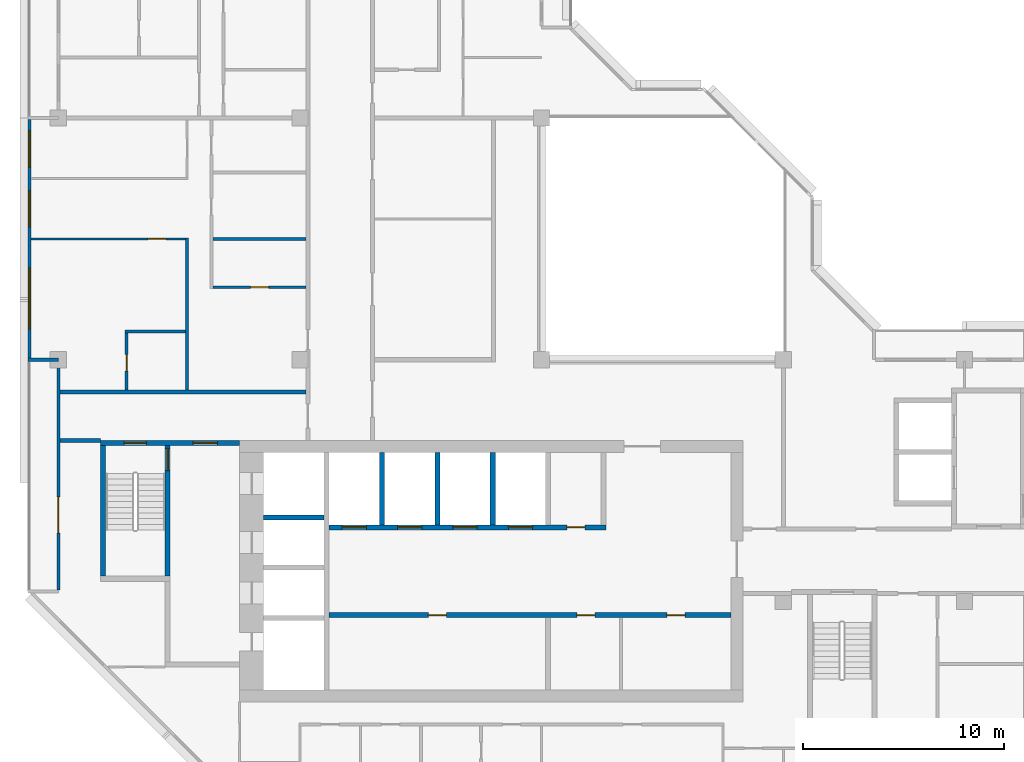
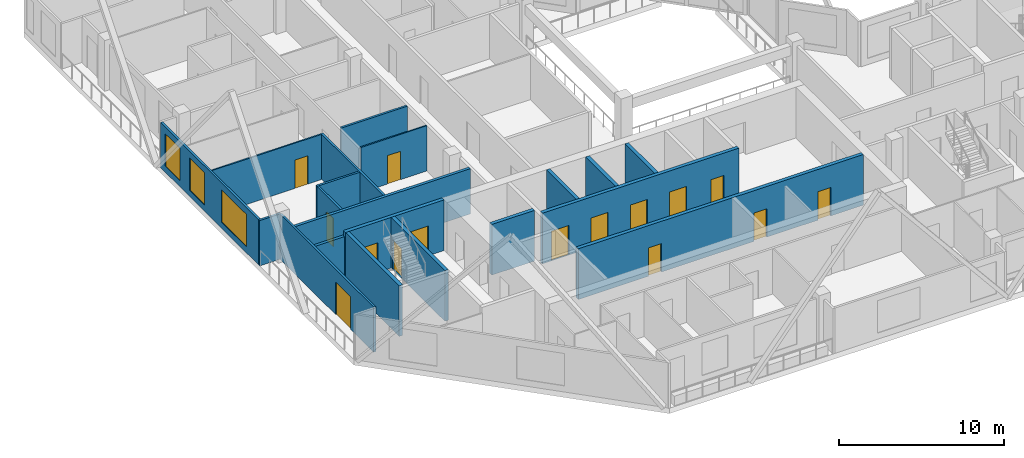
# One storey, part 5 of 13: 20 walls, 15 doors, 3 windows, 18 openings.
"""IFC4 building model written with IfcOpenShell, lengths in metres."""

from ifc_helpers import new_model, si_unit, direction, frame, frame_2d, origin, place, context, subcontext, project, spatial, rectangle, extrude, material, layer, layer_set, type_object, element, fill, save


model = new_model("IFC4")

# Units and contexts
model_context = context("Model", 3, precision=1e-05, world=origin(), true_north=direction((0.0, 1.0)))
body_context = subcontext(model_context, "Body", "Model", "MODEL_VIEW")
ifc_project = project(units=[si_unit("LENGTHUNIT", "METRE"), si_unit("AREAUNIT", "SQUARE_METRE"), si_unit("VOLUMEUNIT", "CUBIC_METRE"), si_unit("PLANEANGLEUNIT", "RADIAN"), si_unit("MASSUNIT", "GRAM", prefix="KILO")], contexts=[model_context])

# Site, building, storey
site_placement = place(None, origin())
site = spatial("IfcSite", under=ifc_project, at=site_placement, CompositionType="ELEMENT")
building_placement = place(site_placement, origin())
building = spatial("IfcBuilding", under=site, at=building_placement, Name="Chenar Terraces", CompositionType="ELEMENT")
storey_placement = place(building_placement, frame((0.0, 0.0, 310.89990234375)))
storey = spatial("IfcBuildingStorey", under=building, at=storey_placement, Name="L73", CompositionType="ELEMENT", Elevation=310.89990234375)

# Wall, openings, doors
ifc_material_1 = material(Name="Concrete C50/60", Category="concrete")
ifc_layer_1 = layer(ifc_material_1, 0.25)
ifc_layer_set_1 = layer_set([ifc_layer_1], Name="Concrete C50/60")
wall_type_1 = type_object("IfcWallType", Name="Core wall 250 Concrete C50/60", PredefinedType="SHEAR", material=ifc_layer_set_1)
wall_1_placement = place(storey_placement, frame((13.449951171875, 11.324951171875, 0.0), z_axis=(0.0, 0.0, 1.0), x_axis=(1.0, 0.0, 0.0)))
wall_1 = element("IfcWall", 1, at=wall_1_placement, inside=storey, type_object=wall_type_1, Name="Core wall SF L73", PredefinedType="SHEAR", context=body_context, shape_type="SweptSolid", body=[
    extrude(rectangle(XDim=19.949951171875, YDim=0.25, at=frame_2d((9.97509765625, 0.0))), origin(), (0.0, 0.0, 1.0), 3.75),
])
opening_1_placement = place(wall_1_placement, frame((4.925048828125, 0.0, 0.0)))
opening_1 = element("IfcOpeningElement", 2, at=opening_1_placement, cuts=wall_1, Name="Opening DL73-C12", PredefinedType="OPENING", context=body_context, shape_type="SweptSolid", body=[
    extrude(rectangle(XDim=0.89990234375, YDim=2.10009765625, at=frame_2d((0.449951171875, 1.050048828125))), frame((0.0, 0.135009765625, 0.0), z_axis=(0.0, -1.0, 0.0), x_axis=(1.0, 0.0, 0.0)), (0.0, 0.0, 1.0), 0.27001953125),
])
opening_2_placement = place(wall_1_placement, frame((12.300048828125, 0.0, 0.0)))
opening_2 = element("IfcOpeningElement", 3, at=opening_2_placement, cuts=wall_1, Name="Opening DL73-C13", PredefinedType="OPENING", context=body_context, shape_type="SweptSolid", body=[
    extrude(rectangle(XDim=0.89990234375, YDim=2.10009765625, at=frame_2d((0.449951171875, 1.050048828125))), frame((0.0, 0.135009765625, 0.0), z_axis=(0.0, -1.0, 0.0), x_axis=(1.0, 0.0, 0.0)), (0.0, 0.0, 1.0), 0.27001953125),
])
opening_3_placement = place(wall_1_placement, frame((16.77490234375, 0.0, 0.0)))
opening_3 = element("IfcOpeningElement", 4, at=opening_3_placement, cuts=wall_1, Name="Opening DL73-C14", PredefinedType="OPENING", context=body_context, shape_type="SweptSolid", body=[
    extrude(rectangle(XDim=0.89990234375, YDim=2.10009765625, at=frame_2d((0.449951171875, 1.050048828125))), frame((0.0, 0.135009765625, 0.0), z_axis=(0.0, -1.0, 0.0), x_axis=(1.0, 0.0, 0.0)), (0.0, 0.0, 1.0), 0.27001953125),
])
ifc_material_2 = material(Name="Steel-framed fire-resisting door leaf", Category="steel")
door_type_1 = type_object("IfcDoorType", Name="Riser fire door FD60 900 x 2100", OperationType="SINGLE_SWING_LEFT", PredefinedType="DOOR", material=ifc_material_2)
door_1_placement = place(opening_1_placement, frame((0.89990234375, 0.0, 0.0), z_axis=(0.0, 0.0, 1.0), x_axis=(-1.0, 0.0, 0.0)))
door_1 = element("IfcDoor", 5, at=door_1_placement, inside=storey, type_object=door_type_1, Name="Core room door DL73-C12", OperationType="SINGLE_SWING_RIGHT", OverallHeight=2.10009765625, OverallWidth=0.89990234375, PredefinedType="DOOR", context=body_context, shape_type="SweptSolid", body=[
    extrude(rectangle(XDim=0.89990234375, YDim=2.10009765625, at=frame_2d((0.449951171875, 1.050048828125))), frame((0.0, 0.02490234375, 0.0), z_axis=(0.0, -1.0, 0.0), x_axis=(1.0, 0.0, 0.0)), (0.0, 0.0, 1.0), 0.050048828125),
])
fill(opening_1, door_1)
door_2_placement = place(opening_2_placement, frame((0.89990234375, 0.0, 0.0), z_axis=(0.0, 0.0, 1.0), x_axis=(-1.0, 0.0, 0.0)))
door_2 = element("IfcDoor", 6, at=door_2_placement, inside=storey, type_object=door_type_1, Name="Core room door DL73-C13", OperationType="SINGLE_SWING_LEFT", OverallHeight=2.10009765625, OverallWidth=0.89990234375, PredefinedType="DOOR", context=body_context, shape_type="SweptSolid", body=[
    extrude(rectangle(XDim=0.89990234375, YDim=2.10009765625, at=frame_2d((0.449951171875, 1.050048828125))), frame((0.0, 0.02490234375, 0.0), z_axis=(0.0, -1.0, 0.0), x_axis=(1.0, 0.0, 0.0)), (0.0, 0.0, 1.0), 0.050048828125),
])
fill(opening_2, door_2)
door_3_placement = place(opening_3_placement, frame((0.89990234375, 0.0, 0.0), z_axis=(0.0, 0.0, 1.0), x_axis=(-1.0, 0.0, 0.0)))
door_3 = element("IfcDoor", 7, at=door_3_placement, inside=storey, type_object=door_type_1, Name="Core room door DL73-C14", OperationType="SINGLE_SWING_LEFT", OverallHeight=2.10009765625, OverallWidth=0.89990234375, PredefinedType="DOOR", context=body_context, shape_type="SweptSolid", body=[
    extrude(rectangle(XDim=0.89990234375, YDim=2.10009765625, at=frame_2d((0.449951171875, 1.050048828125))), frame((0.0, 0.02490234375, 0.0), z_axis=(0.0, -1.0, 0.0), x_axis=(1.0, 0.0, 0.0)), (0.0, 0.0, 1.0), 0.050048828125),
])
fill(opening_3, door_3)

wall_2_placement = place(storey_placement, frame((13.449951171875, 15.675048828125, 0.0), z_axis=(0.0, 0.0, 1.0), x_axis=(1.0, 0.0, 0.0)))
wall_2 = element("IfcWall", 8, at=wall_2_placement, inside=storey, type_object=wall_type_1, Name="Core wall NF L73", PredefinedType="SHEAR", context=body_context, shape_type="SweptSolid", body=[
    extrude(rectangle(XDim=13.75, YDim=0.25, at=frame_2d((6.875, 0.0))), origin(), (0.0, 0.0, 1.0), 3.75),
])
opening_4_placement = place(wall_2_placement, frame((0.64990234375, 0.0, 0.0)))
opening_4 = element("IfcOpeningElement", 9, at=opening_4_placement, cuts=wall_2, Name="Opening DL73-LD1", PredefinedType="OPENING", context=body_context, shape_type="SweptSolid", body=[
    extrude(rectangle(XDim=1.199951171875, YDim=2.199951171875, at=frame_2d((0.60009765625, 1.10009765625))), frame((0.0, 0.135009765625, 0.0), z_axis=(0.0, -1.0, 0.0), x_axis=(1.0, 0.0, 0.0)), (0.0, 0.0, 1.0), 0.27001953125),
])
opening_5_placement = place(wall_2_placement, frame((3.39990234375, 0.0, 0.0)))
opening_5 = element("IfcOpeningElement", 10, at=opening_5_placement, cuts=wall_2, Name="Opening DL73-LD2", PredefinedType="OPENING", context=body_context, shape_type="SweptSolid", body=[
    extrude(rectangle(XDim=1.199951171875, YDim=2.199951171875, at=frame_2d((0.60009765625, 1.10009765625))), frame((0.0, 0.135009765625, 0.0), z_axis=(0.0, -1.0, 0.0), x_axis=(1.0, 0.0, 0.0)), (0.0, 0.0, 1.0), 0.27001953125),
])
opening_6_placement = place(wall_2_placement, frame((6.14990234375, 0.0, 0.0)))
opening_6 = element("IfcOpeningElement", 11, at=opening_6_placement, cuts=wall_2, Name="Opening DL73-LD3", PredefinedType="OPENING", context=body_context, shape_type="SweptSolid", body=[
    extrude(rectangle(XDim=1.199951171875, YDim=2.199951171875, at=frame_2d((0.60009765625, 1.10009765625))), frame((0.0, 0.135009765625, 0.0), z_axis=(0.0, -1.0, 0.0), x_axis=(1.0, 0.0, 0.0)), (0.0, 0.0, 1.0), 0.27001953125),
])
opening_7_placement = place(wall_2_placement, frame((8.89990234375, 0.0, 0.0)))
opening_7 = element("IfcOpeningElement", 12, at=opening_7_placement, cuts=wall_2, Name="Opening DL73-LD4", PredefinedType="OPENING", context=body_context, shape_type="SweptSolid", body=[
    extrude(rectangle(XDim=1.199951171875, YDim=2.199951171875, at=frame_2d((0.60009765625, 1.10009765625))), frame((0.0, 0.135009765625, 0.0), z_axis=(0.0, -1.0, 0.0), x_axis=(1.0, 0.0, 0.0)), (0.0, 0.0, 1.0), 0.27001953125),
])
opening_8_placement = place(wall_2_placement, frame((11.800048828125, 0.0, 0.0)))
opening_8 = element("IfcOpeningElement", 13, at=opening_8_placement, cuts=wall_2, Name="Opening DL73-C15", PredefinedType="OPENING", context=body_context, shape_type="SweptSolid", body=[
    extrude(rectangle(XDim=0.89990234375, YDim=2.10009765625, at=frame_2d((0.449951171875, 1.050048828125))), frame((0.0, 0.135009765625, 0.0), z_axis=(0.0, -1.0, 0.0), x_axis=(1.0, 0.0, 0.0)), (0.0, 0.0, 1.0), 0.27001953125),
])
ifc_material_3 = material(Name="Stainless steel", Category="steel")
door_type_2 = type_object("IfcDoorType", Name="Lift landing door 1200 x 2200 sliding", OperationType="DOUBLE_DOOR_SLIDING", PredefinedType="DOOR", material=ifc_material_3)
door_4_placement = place(opening_4_placement, origin())
door_4 = element("IfcDoor", 14, at=door_4_placement, inside=storey, type_object=door_type_2, Name="Landing door H1", OperationType="DOUBLE_DOOR_SLIDING", OverallHeight=2.199951171875, OverallWidth=1.199951171875, PredefinedType="DOOR", context=body_context, shape_type="SweptSolid", body=[
    extrude(rectangle(XDim=1.199951171875, YDim=2.199951171875, at=frame_2d((0.60009765625, 1.10009765625))), frame((0.0, 0.02490234375, 0.0), z_axis=(0.0, -1.0, 0.0), x_axis=(1.0, 0.0, 0.0)), (0.0, 0.0, 1.0), 0.050048828125),
])
fill(opening_4, door_4)
door_5_placement = place(opening_5_placement, origin())
door_5 = element("IfcDoor", 15, at=door_5_placement, inside=storey, type_object=door_type_2, Name="Landing door H2", OperationType="DOUBLE_DOOR_SLIDING", OverallHeight=2.199951171875, OverallWidth=1.199951171875, PredefinedType="DOOR", context=body_context, shape_type="SweptSolid", body=[
    extrude(rectangle(XDim=1.199951171875, YDim=2.199951171875, at=frame_2d((0.60009765625, 1.10009765625))), frame((0.0, 0.02490234375, 0.0), z_axis=(0.0, -1.0, 0.0), x_axis=(1.0, 0.0, 0.0)), (0.0, 0.0, 1.0), 0.050048828125),
])
fill(opening_5, door_5)
door_6_placement = place(opening_6_placement, origin())
door_6 = element("IfcDoor", 16, at=door_6_placement, inside=storey, type_object=door_type_2, Name="Landing door H3", OperationType="DOUBLE_DOOR_SLIDING", OverallHeight=2.199951171875, OverallWidth=1.199951171875, PredefinedType="DOOR", context=body_context, shape_type="SweptSolid", body=[
    extrude(rectangle(XDim=1.199951171875, YDim=2.199951171875, at=frame_2d((0.60009765625, 1.10009765625))), frame((0.0, 0.02490234375, 0.0), z_axis=(0.0, -1.0, 0.0), x_axis=(1.0, 0.0, 0.0)), (0.0, 0.0, 1.0), 0.050048828125),
])
fill(opening_6, door_6)
door_7_placement = place(opening_7_placement, origin())
door_7 = element("IfcDoor", 17, at=door_7_placement, inside=storey, type_object=door_type_2, Name="Landing door H4", OperationType="DOUBLE_DOOR_SLIDING", OverallHeight=2.199951171875, OverallWidth=1.199951171875, PredefinedType="DOOR", context=body_context, shape_type="SweptSolid", body=[
    extrude(rectangle(XDim=1.199951171875, YDim=2.199951171875, at=frame_2d((0.60009765625, 1.10009765625))), frame((0.0, 0.02490234375, 0.0), z_axis=(0.0, -1.0, 0.0), x_axis=(1.0, 0.0, 0.0)), (0.0, 0.0, 1.0), 0.050048828125),
])
fill(opening_7, door_7)
door_8_placement = place(opening_8_placement, origin())
door_8 = element("IfcDoor", 18, at=door_8_placement, inside=storey, type_object=door_type_1, Name="Core room door DL73-C15", OperationType="SINGLE_SWING_RIGHT", OverallHeight=2.10009765625, OverallWidth=0.89990234375, PredefinedType="DOOR", context=body_context, shape_type="SweptSolid", body=[
    extrude(rectangle(XDim=0.89990234375, YDim=2.10009765625, at=frame_2d((0.449951171875, 1.050048828125))), frame((0.0, 0.02490234375, 0.0), z_axis=(0.0, -1.0, 0.0), x_axis=(1.0, 0.0, 0.0)), (0.0, 0.0, 1.0), 0.050048828125),
])
fill(opening_8, door_8)

# Walls
wall_3_placement = place(storey_placement, frame((10.199951171875, 16.175048828125, 0.0), z_axis=(0.0, 0.0, 1.0), x_axis=(1.0, 0.0, 0.0)))
element("IfcWall", 19, at=wall_3_placement, inside=storey, type_object=wall_type_1, Name="Core wall HW2 L73", PredefinedType="SHEAR", context=body_context, shape_type="SweptSolid", body=[
    extrude(rectangle(XDim=3.0, YDim=0.25, at=frame_2d((1.5, 0.0))), origin(), (0.0, 0.0, 1.0), 3.75),
])
for number, where, z_axis, x_axis, name in (
    (20, (16.074951171875, 15.800048828125, 0.0), (0.0, 0.0, 1.0), (0.0, 1.0, 0.0), "Core wall NS0 L73"),
    (21, (18.824951171875, 15.800048828125, 0.0), (0.0, 0.0, 1.0), (0.0, 1.0, 0.0), "Core wall NS1 L73"),
    (22, (21.574951171875, 15.800048828125, 0.0), (0.0, 0.0, 1.0), (0.0, 1.0, 0.0), "Core wall NS2 L73"),
):
    element("IfcWall", number, at=place(storey_placement, frame(where, z_axis=z_axis, x_axis=x_axis)), inside=storey, type_object=wall_type_1, Name=name, PredefinedType="SHEAR", context=body_context, shape_type="SweptSolid", body=[
        extrude(rectangle(XDim=3.599853515625, YDim=0.25, at=frame_2d((1.7998046875, 0.0))), origin(), (0.0, 0.0, 1.0), 3.75),
    ])

# Wall, openings, doors
wall_4_placement = place(storey_placement, frame((2.10009765625, 19.875, 0.0), z_axis=(0.0, 0.0, 1.0), x_axis=(1.0, 0.0, 0.0)))
wall_4 = element("IfcWall", 23, at=wall_4_placement, inside=storey, type_object=wall_type_1, Name="Core wall A_N L73", PredefinedType="SHEAR", context=body_context, shape_type="SweptSolid", body=[
    extrude(rectangle(XDim=6.89990234375, YDim=0.25, at=frame_2d((3.449951171875, 0.0))), origin(), (0.0, 0.0, 1.0), 3.75),
])
opening_9_placement = place(wall_4_placement, frame((1.175048828125, 0.0, 0.0)))
opening_9 = element("IfcOpeningElement", 24, at=opening_9_placement, cuts=wall_4, Name="Opening DL73-C5", PredefinedType="OPENING", context=body_context, shape_type="SweptSolid", body=[
    extrude(rectangle(XDim=1.10009765625, YDim=2.199951171875, at=frame_2d((0.550048828125, 1.10009765625))), frame((0.0, 0.135009765625, 0.0), z_axis=(0.0, -1.0, 0.0), x_axis=(1.0, 0.0, 0.0)), (0.0, 0.0, 1.0), 0.27001953125),
])
opening_10_placement = place(wall_4_placement, frame((4.60009765625, 0.0, 0.0)))
opening_10 = element("IfcOpeningElement", 25, at=opening_10_placement, cuts=wall_4, Name="Opening DL73-C6", PredefinedType="OPENING", context=body_context, shape_type="SweptSolid", body=[
    extrude(rectangle(XDim=1.199951171875, YDim=2.199951171875, at=frame_2d((0.60009765625, 1.10009765625))), frame((0.0, 0.135009765625, 0.0), z_axis=(0.0, -1.0, 0.0), x_axis=(1.0, 0.0, 0.0)), (0.0, 0.0, 1.0), 0.27001953125),
])
ifc_material_4 = material(Name="Steel-framed fire-resisting door leaf", Category="steel")
door_type_3 = type_object("IfcDoorType", Name="Lobby fire door FD60 1200 x 2200", OperationType="SINGLE_SWING_LEFT", PredefinedType="DOOR", material=ifc_material_4)
door_9_placement = place(opening_10_placement, frame((1.199951171875, 0.0, 0.0), z_axis=(0.0, 0.0, 1.0), x_axis=(-1.0, 0.0, 0.0)))
door_9 = element("IfcDoor", 26, at=door_9_placement, inside=storey, type_object=door_type_3, Name="Core door DL73-C6", OperationType="SINGLE_SWING_LEFT", OverallHeight=2.199951171875, OverallWidth=1.199951171875, PredefinedType="DOOR", context=body_context, shape_type="SweptSolid", body=[
    extrude(rectangle(XDim=1.199951171875, YDim=2.199951171875, at=frame_2d((0.60009765625, 1.10009765625))), frame((0.0, 0.02490234375, 0.0), z_axis=(0.0, -1.0, 0.0), x_axis=(1.0, 0.0, 0.0)), (0.0, 0.0, 1.0), 0.050048828125),
])
fill(opening_10, door_9)
ifc_material_5 = material(Name="Steel-framed fire-resisting door leaf", Category="steel")
door_type_4 = type_object("IfcDoorType", Name="Stair fire door FD60 1100 x 2200", OperationType="SINGLE_SWING_LEFT", PredefinedType="DOOR", material=ifc_material_5)
door_10_placement = place(opening_9_placement, origin())
door_10 = element("IfcDoor", 27, at=door_10_placement, inside=storey, type_object=door_type_4, Name="Stair door DL73-C5", OperationType="SINGLE_SWING_LEFT", OverallHeight=2.199951171875, OverallWidth=1.10009765625, PredefinedType="DOOR", context=body_context, shape_type="SweptSolid", body=[
    extrude(rectangle(XDim=1.10009765625, YDim=2.199951171875, at=frame_2d((0.550048828125, 1.10009765625))), frame((0.0, 0.02490234375, 0.0), z_axis=(0.0, -1.0, 0.0), x_axis=(1.0, 0.0, 0.0)), (0.0, 0.0, 1.0), 0.050048828125),
])
fill(opening_9, door_10)

# Wall
wall_5_placement = place(storey_placement, frame((2.22509765625, 13.25, 0.0), z_axis=(0.0, 0.0, 1.0), x_axis=(0.0, 1.0, 0.0)))
element("IfcWall", 28, at=wall_5_placement, inside=storey, type_object=wall_type_1, Name="Core wall ST1_W L73", PredefinedType="SHEAR", context=body_context, shape_type="SweptSolid", body=[
    extrude(rectangle(XDim=6.5, YDim=0.25, at=frame_2d((3.25, 0.0))), origin(), (0.0, 0.0, 1.0), 3.75),
])

# Wall, opening, door
wall_6_placement = place(storey_placement, frame((5.425048828125, 13.25, 0.0), z_axis=(0.0, 0.0, 1.0), x_axis=(0.0, 1.0, 0.0)))
wall_6 = element("IfcWall", 29, at=wall_6_placement, inside=storey, type_object=wall_type_1, Name="Core wall ST1_E L73", PredefinedType="SHEAR", context=body_context, shape_type="SweptSolid", body=[
    extrude(rectangle(XDim=6.5, YDim=0.25, at=frame_2d((3.25, 0.0))), origin(), (0.0, 0.0, 1.0), 3.75),
])
opening_11_placement = place(wall_6_placement, frame((5.25, 0.0, 0.0)))
opening_11 = element("IfcOpeningElement", 30, at=opening_11_placement, cuts=wall_6, Name="Opening DL73-C3", PredefinedType="OPENING", context=body_context, shape_type="SweptSolid", body=[
    extrude(rectangle(XDim=1.10009765625, YDim=2.199951171875, at=frame_2d((0.550048828125, 1.10009765625))), frame((0.0, 0.135009765625, 0.0), z_axis=(0.0, -1.0, 0.0), x_axis=(1.0, 0.0, 0.0)), (0.0, 0.0, 1.0), 0.27001953125),
])
door_11_placement = place(opening_11_placement, origin())
door_11 = element("IfcDoor", 31, at=door_11_placement, inside=storey, type_object=door_type_4, Name="Stair door DL73-C3", OperationType="SINGLE_SWING_RIGHT", OverallHeight=2.199951171875, OverallWidth=1.10009765625, PredefinedType="DOOR", context=body_context, shape_type="SweptSolid", body=[
    extrude(rectangle(XDim=1.10009765625, YDim=2.199951171875, at=frame_2d((0.550048828125, 1.10009765625))), frame((0.0, 0.02490234375, 0.0), z_axis=(0.0, -1.0, 0.0), x_axis=(1.0, 0.0, 0.0)), (0.0, 0.0, 1.0), 0.050048828125),
])
fill(opening_11, door_11)

# Walls
ifc_material_6 = material(Name="Gypsum board on steel studs with fire boards", Category="steel")
ifc_layer_2 = layer(ifc_material_6, 0.199951171875)
ifc_layer_set_2 = layer_set([ifc_layer_2], Name="Gypsum board on steel studs with fire boards")
wall_type_2 = type_object("IfcWallType", Name="Corridor wall 200", PredefinedType="PARTITIONING", material=ifc_layer_set_2)
wall_7_placement = place(storey_placement, frame((0.073974609375, 20.0, 0.0), z_axis=(0.0, 0.0, 1.0), x_axis=(1.0, 0.0, 0.0)))
element("IfcWall", 32, at=wall_7_placement, inside=storey, type_object=wall_type_2, Name="Partition L73-006", PredefinedType="PARTITIONING", context=body_context, shape_type="SweptSolid", body=[
    extrude(rectangle(XDim=2.026123046875, YDim=0.199951171875, at=frame_2d((1.01318359375, 0.0))), origin(), (0.0, 0.0, 1.0), 3.35009765625),
])
wall_8_placement = place(storey_placement, frame((0.073974609375, 22.39990234375, 0.0), z_axis=(0.0, 0.0, 1.0), x_axis=(1.0, 0.0, 0.0)))
element("IfcWall", 33, at=wall_8_placement, inside=storey, type_object=wall_type_2, Name="Partition L73-007", PredefinedType="PARTITIONING", context=body_context, shape_type="SweptSolid", body=[
    extrude(rectangle(XDim=12.22607421875, YDim=0.199951171875, at=frame_2d((6.113037109375, 0.0))), origin(), (0.0, 0.0, 1.0), 3.35009765625),
])

# Wall, openings, windows
ifc_material_7 = material(Name="Aluminium framed glazing", Category="aluminium")
ifc_layer_3 = layer(ifc_material_7, 0.14990234375)
ifc_layer_set_3 = layer_set([ifc_layer_3], Name="Aluminium framed glazing")
wall_type_3 = type_object("IfcWallType", Name="Glazed flush facade wall 150", PredefinedType="SOLIDWALL", material=ifc_layer_set_3)
wall_9_placement = place(storey_placement, frame((-1.425048828125, 35.925048828125, 0.0), z_axis=(0.0, 0.0, 1.0), x_axis=(0.0, -1.0, 0.0)))
wall_9 = element("IfcWall", 34, at=wall_9_placement, inside=storey, type_object=wall_type_3, Name="Glazed flush facade wall", PredefinedType="SOLIDWALL", context=body_context, shape_type="SweptSolid", body=[
    extrude(rectangle(XDim=11.85009765625, YDim=0.14990234375, at=frame_2d((5.925048828125, 0.0))), origin(), (0.0, 0.0, 1.0), 3.35009765625),
])
opening_12_placement = place(wall_9_placement, frame((0.5625, 0.0, 0.449951171875)))
opening_12 = element("IfcOpeningElement", 35, at=opening_12_placement, cuts=wall_9, Name="Opening W180x240", PredefinedType="OPENING", context=body_context, shape_type="SweptSolid", body=[
    extrude(rectangle(XDim=1.800048828125, YDim=2.39990234375, at=frame_2d((0.89990234375, 1.199951171875))), frame((0.0, 0.0849609375, 0.0), z_axis=(0.0, -1.0, 0.0), x_axis=(1.0, 0.0, 0.0)), (0.0, 0.0, 1.0), 0.169921875),
])
opening_13_placement = place(wall_9_placement, frame((3.52490234375, 0.0, 0.449951171875)))
opening_13 = element("IfcOpeningElement", 36, at=opening_13_placement, cuts=wall_9, Name="Opening W180x240", PredefinedType="OPENING", context=body_context, shape_type="SweptSolid", body=[
    extrude(rectangle(XDim=1.800048828125, YDim=2.39990234375, at=frame_2d((0.89990234375, 1.199951171875))), frame((0.0, 0.0849609375, 0.0), z_axis=(0.0, -1.0, 0.0), x_axis=(1.0, 0.0, 0.0)), (0.0, 0.0, 1.0), 0.169921875),
])
opening_14_placement = place(wall_9_placement, frame((7.387451171875, 0.0, 0.449951171875)))
opening_14 = element("IfcOpeningElement", 37, at=opening_14_placement, cuts=wall_9, Name="Opening W300x240", PredefinedType="OPENING", context=body_context, shape_type="SweptSolid", body=[
    extrude(rectangle(XDim=3.0, YDim=2.39990234375, at=frame_2d((1.5, 1.199951171875))), frame((0.0, 0.0849609375, 0.0), z_axis=(0.0, -1.0, 0.0), x_axis=(1.0, 0.0, 0.0)), (0.0, 0.0, 1.0), 0.169921875),
])
ifc_material_8 = material(Name="Low emissivity double glazing, aluminium frame", Category="aluminium")
window_type_1 = type_object("IfcWindowType", Name="Fixed light 1800 x 2400", PartitioningType="SINGLE_PANEL", PredefinedType="WINDOW", material=ifc_material_8)
window_1_placement = place(opening_12_placement, origin())
window_1 = element("IfcWindow", 38, at=window_1_placement, inside=storey, type_object=window_type_1, Name="Window", OverallHeight=2.39990234375, OverallWidth=1.800048828125, PartitioningType="SINGLE_PANEL", PredefinedType="WINDOW", context=body_context, shape_type="SweptSolid", body=[
    extrude(rectangle(XDim=1.800048828125, YDim=2.39990234375, at=frame_2d((0.89990234375, 1.199951171875))), frame((0.0, 0.030029296875, 0.0), z_axis=(0.0, -1.0, 0.0), x_axis=(1.0, 0.0, 0.0)), (0.0, 0.0, 1.0), 0.06005859375),
])
fill(opening_12, window_1)
window_2_placement = place(opening_13_placement, origin())
window_2 = element("IfcWindow", 39, at=window_2_placement, inside=storey, type_object=window_type_1, Name="Window", OverallHeight=2.39990234375, OverallWidth=1.800048828125, PartitioningType="SINGLE_PANEL", PredefinedType="WINDOW", context=body_context, shape_type="SweptSolid", body=[
    extrude(rectangle(XDim=1.800048828125, YDim=2.39990234375, at=frame_2d((0.89990234375, 1.199951171875))), frame((0.0, 0.030029296875, 0.0), z_axis=(0.0, -1.0, 0.0), x_axis=(1.0, 0.0, 0.0)), (0.0, 0.0, 1.0), 0.06005859375),
])
fill(opening_13, window_2)
ifc_material_9 = material(Name="Low emissivity double glazing, aluminium frame", Category="aluminium")
window_type_2 = type_object("IfcWindowType", Name="Fixed light 3000 x 2400", PartitioningType="SINGLE_PANEL", PredefinedType="WINDOW", material=ifc_material_9)
window_3_placement = place(opening_14_placement, origin())
window_3 = element("IfcWindow", 40, at=window_3_placement, inside=storey, type_object=window_type_2, Name="Window", OverallHeight=2.39990234375, OverallWidth=3.0, PartitioningType="SINGLE_PANEL", PredefinedType="WINDOW", context=body_context, shape_type="SweptSolid", body=[
    extrude(rectangle(XDim=3.0, YDim=2.39990234375, at=frame_2d((1.5, 1.199951171875))), frame((0.0, 0.030029296875, 0.0), z_axis=(0.0, -1.0, 0.0), x_axis=(1.0, 0.0, 0.0)), (0.0, 0.0, 1.0), 0.06005859375),
])
fill(opening_14, window_3)

# Wall, opening, door
ifc_material_10 = material(Name="Aluminium framed glazing", Category="aluminium")
ifc_layer_4 = layer(ifc_material_10, 0.14990234375)
ifc_layer_set_4 = layer_set([ifc_layer_4], Name="Aluminium framed glazing")
wall_type_4 = type_object("IfcWallType", Name="Glazed loggia back wall 150", PredefinedType="SOLIDWALL", material=ifc_layer_set_4)
wall_10_placement = place(storey_placement, frame((0.0, 23.925048828125, 0.0), z_axis=(0.0, 0.0, 1.0), x_axis=(0.0, -1.0, 0.0)))
wall_10 = element("IfcWall", 41, at=wall_10_placement, inside=storey, type_object=wall_type_4, Name="Glazed loggia back wall", PredefinedType="SOLIDWALL", context=body_context, shape_type="SweptSolid", body=[
    extrude(rectangle(XDim=11.35009765625, YDim=0.14990234375, at=frame_2d((5.675048828125, 0.0))), origin(), (0.0, 0.0, 1.0), 3.35009765625),
])
opening_15_placement = place(wall_10_placement, frame((6.737548828125, 0.0, 0.0)))
opening_15 = element("IfcOpeningElement", 42, at=opening_15_placement, cuts=wall_10, Name="Opening DL73-G3", PredefinedType="OPENING", context=body_context, shape_type="SweptSolid", body=[
    extrude(rectangle(XDim=1.800048828125, YDim=2.39990234375, at=frame_2d((0.89990234375, 1.199951171875))), frame((0.0, 0.0849609375, 0.0), z_axis=(0.0, -1.0, 0.0), x_axis=(1.0, 0.0, 0.0)), (0.0, 0.0, 1.0), 0.169921875),
])
ifc_material_11 = material(Name="Low emissivity double glazing, aluminium frame", Category="aluminium")
door_type_5 = type_object("IfcDoorType", Name="Loggia glazed double door 1800 x 2400", OperationType="DOUBLE_DOOR_SINGLE_SWING", PredefinedType="DOOR", material=ifc_material_11)
door_12_placement = place(opening_15_placement, frame((1.800048828125, 0.0, 0.0), z_axis=(0.0, 0.0, 1.0), x_axis=(-1.0, 0.0, 0.0)))
door_12 = element("IfcDoor", 43, at=door_12_placement, inside=storey, type_object=door_type_5, Name="Loggia glazed door", OperationType="DOUBLE_DOOR_SINGLE_SWING", OverallHeight=2.39990234375, OverallWidth=1.800048828125, PredefinedType="DOOR", context=body_context, shape_type="SweptSolid", body=[
    extrude(rectangle(XDim=1.800048828125, YDim=2.39990234375, at=frame_2d((0.89990234375, 1.199951171875))), frame((0.0, 0.02490234375, 0.0), z_axis=(0.0, -1.0, 0.0), x_axis=(1.0, 0.0, 0.0)), (0.0, 0.0, 1.0), 0.050048828125),
])
fill(opening_15, door_12)

ifc_material_12 = material(Name="Gypsum board on steel studs", Category="steel")
ifc_layer_5 = layer(ifc_material_12, 0.10009765625)
ifc_layer_set_5 = layer_set([ifc_layer_5], Name="Gypsum board on steel studs")
wall_type_5 = type_object("IfcWallType", Name="Gypsum partition 100", PredefinedType="PARTITIONING", material=ifc_layer_set_5)
wall_11_placement = place(storey_placement, frame((-1.35009765625, 30.0, 0.0), z_axis=(0.0, 0.0, 1.0), x_axis=(1.0, 0.0, 0.0)))
wall_11 = element("IfcWall", 44, at=wall_11_placement, inside=storey, type_object=wall_type_5, Name="Partition L73-002", PredefinedType="PARTITIONING", context=body_context, shape_type="SweptSolid", body=[
    extrude(rectangle(XDim=7.675048828125, YDim=0.10009765625, at=frame_2d((3.83740234375, 0.0))), origin(), (0.0, 0.0, 1.0), 3.35009765625),
])
opening_16_placement = place(wall_11_placement, frame((5.800048828125, 0.0, 0.0)))
opening_16 = element("IfcOpeningElement", 45, at=opening_16_placement, cuts=wall_11, Name="Opening DL73-52", PredefinedType="OPENING", context=body_context, shape_type="SweptSolid", body=[
    extrude(rectangle(XDim=0.89990234375, YDim=2.10009765625, at=frame_2d((0.449951171875, 1.050048828125))), frame((0.0, 0.06005859375, 0.0), z_axis=(0.0, -1.0, 0.0), x_axis=(1.0, 0.0, 0.0)), (0.0, 0.0, 1.0), 0.1201171875),
])
ifc_material_13 = material(Name="Veneered timber door leaf", Category="wood")
door_type_6 = type_object("IfcDoorType", Name="Door 900 x 2100", OperationType="SINGLE_SWING_LEFT", PredefinedType="DOOR", material=ifc_material_13)
door_13_placement = place(opening_16_placement, frame((0.89990234375, 0.0, 0.0), z_axis=(0.0, 0.0, 1.0), x_axis=(-1.0, 0.0, 0.0)))
door_13 = element("IfcDoor", 46, at=door_13_placement, inside=storey, type_object=door_type_6, Name="Door DL73-52", OperationType="SINGLE_SWING_LEFT", OverallHeight=2.10009765625, OverallWidth=0.89990234375, PredefinedType="DOOR", context=body_context, shape_type="SweptSolid", body=[
    extrude(rectangle(XDim=0.89990234375, YDim=2.10009765625, at=frame_2d((0.449951171875, 1.050048828125))), frame((0.0, 0.02490234375, 0.0), z_axis=(0.0, -1.0, 0.0), x_axis=(1.0, 0.0, 0.0)), (0.0, 0.0, 1.0), 0.050048828125),
])
fill(opening_16, door_13)

wall_12_placement = place(storey_placement, frame((7.675048828125, 27.60009765625, 0.0), z_axis=(0.0, 0.0, 1.0), x_axis=(1.0, 0.0, 0.0)))
wall_12 = element("IfcWall", 47, at=wall_12_placement, inside=storey, type_object=wall_type_5, Name="Partition L73-022", PredefinedType="PARTITIONING", context=body_context, shape_type="SweptSolid", body=[
    extrude(rectangle(XDim=4.625, YDim=0.10009765625, at=frame_2d((2.3125, 0.0))), origin(), (0.0, 0.0, 1.0), 3.35009765625),
])
opening_17_placement = place(wall_12_placement, frame((1.875, 0.0, 0.0)))
opening_17 = element("IfcOpeningElement", 48, at=opening_17_placement, cuts=wall_12, Name="Opening DL73-54", PredefinedType="OPENING", context=body_context, shape_type="SweptSolid", body=[
    extrude(rectangle(XDim=0.89990234375, YDim=2.10009765625, at=frame_2d((0.449951171875, 1.050048828125))), frame((0.0, 0.06005859375, 0.0), z_axis=(0.0, -1.0, 0.0), x_axis=(1.0, 0.0, 0.0)), (0.0, 0.0, 1.0), 0.1201171875),
])
door_14_placement = place(opening_17_placement, origin())
door_14 = element("IfcDoor", 49, at=door_14_placement, inside=storey, type_object=door_type_6, Name="Door DL73-54", OperationType="SINGLE_SWING_LEFT", OverallHeight=2.10009765625, OverallWidth=0.89990234375, PredefinedType="DOOR", context=body_context, shape_type="SweptSolid", body=[
    extrude(rectangle(XDim=0.89990234375, YDim=2.10009765625, at=frame_2d((0.449951171875, 1.050048828125))), frame((0.0, 0.02490234375, 0.0), z_axis=(0.0, -1.0, 0.0), x_axis=(1.0, 0.0, 0.0)), (0.0, 0.0, 1.0), 0.050048828125),
])
fill(opening_17, door_14)

# Walls
ifc_material_14 = material(Name="Terracotta cladding on insulated backing", Category="masonry")
ifc_layer_6 = layer(ifc_material_14, 0.14990234375)
ifc_layer_set_6 = layer_set([ifc_layer_6], Name="Terracotta cladding on insulated backing")
wall_type_6 = type_object("IfcWallType", Name="Loggia return wall 150", PredefinedType="SOLIDWALL", material=ifc_layer_set_6)
wall_13_placement = place(storey_placement, frame((-1.5, 24.0, 0.0), z_axis=(0.0, 0.0, 1.0), x_axis=(1.0, 0.0, 0.0)))
element("IfcWall", 50, at=wall_13_placement, inside=storey, type_object=wall_type_6, Name="Loggia return wall", PredefinedType="SOLIDWALL", context=body_context, shape_type="SweptSolid", body=[
    extrude(rectangle(XDim=1.5, YDim=0.14990234375, at=frame_2d((0.75, 0.0))), origin(), (0.0, 0.0, 1.0), 3.35009765625),
])
ifc_material_15 = material(Name="Moisture-resistant gypsum board on steel studs", Category="steel")
ifc_layer_7 = layer(ifc_material_15, 0.14990234375)
ifc_layer_set_7 = layer_set([ifc_layer_7], Name="Moisture-resistant gypsum board on steel studs")
wall_type_7 = type_object("IfcWallType", Name="Wet-room partition 150", PredefinedType="PARTITIONING", material=ifc_layer_set_7)
wall_14_placement = place(storey_placement, frame((3.324951171875, 25.39990234375, 0.0), z_axis=(0.0, 0.0, 1.0), x_axis=(1.0, 0.0, 0.0)))
element("IfcWall", 51, at=wall_14_placement, inside=storey, type_object=wall_type_7, Name="Partition L73-011", PredefinedType="PARTITIONING", context=body_context, shape_type="SweptSolid", body=[
    extrude(rectangle(XDim=3.0, YDim=0.14990234375, at=frame_2d((1.5, 0.0))), origin(), (0.0, 0.0, 1.0), 3.35009765625),
])

# Wall, opening, door
wall_15_placement = place(storey_placement, frame((3.39990234375, 22.5, 0.0), z_axis=(0.0, 0.0, 1.0), x_axis=(0.0, 1.0, 0.0)))
wall_15 = element("IfcWall", 52, at=wall_15_placement, inside=storey, type_object=wall_type_7, Name="Partition L73-012", PredefinedType="PARTITIONING", context=body_context, shape_type="SweptSolid", body=[
    extrude(rectangle(XDim=2.824951171875, YDim=0.14990234375, at=frame_2d((1.41259765625, 0.0))), origin(), (0.0, 0.0, 1.0), 3.35009765625),
])
opening_18_placement = place(wall_15_placement, frame((0.949951171875, 0.0, 0.0)))
opening_18 = element("IfcOpeningElement", 53, at=opening_18_placement, cuts=wall_15, Name="Opening DL73-53", PredefinedType="OPENING", context=body_context, shape_type="SweptSolid", body=[
    extrude(rectangle(XDim=0.800048828125, YDim=2.10009765625, at=frame_2d((0.39990234375, 1.050048828125))), frame((0.0, 0.0849609375, 0.0), z_axis=(0.0, -1.0, 0.0), x_axis=(1.0, 0.0, 0.0)), (0.0, 0.0, 1.0), 0.169921875),
])
ifc_material_16 = material(Name="Veneered timber door leaf", Category="wood")
door_type_7 = type_object("IfcDoorType", Name="Door 800 x 2100", OperationType="SINGLE_SWING_LEFT", PredefinedType="DOOR", material=ifc_material_16)
door_15_placement = place(opening_18_placement, frame((0.800048828125, 0.0, 0.0), z_axis=(0.0, 0.0, 1.0), x_axis=(-1.0, 0.0, 0.0)))
door_15 = element("IfcDoor", 54, at=door_15_placement, inside=storey, type_object=door_type_7, Name="Door DL73-53", OperationType="SINGLE_SWING_RIGHT", OverallHeight=2.10009765625, OverallWidth=0.800048828125, PredefinedType="DOOR", context=body_context, shape_type="SweptSolid", body=[
    extrude(rectangle(XDim=0.800048828125, YDim=2.10009765625, at=frame_2d((0.39990234375, 1.050048828125))), frame((0.0, 0.02490234375, 0.0), z_axis=(0.0, -1.0, 0.0), x_axis=(1.0, 0.0, 0.0)), (0.0, 0.0, 1.0), 0.050048828125),
])
fill(opening_18, door_15)

# Walls
wall_16_placement = place(storey_placement, frame((6.39990234375, 22.5, 0.0), z_axis=(0.0, 0.0, 1.0), x_axis=(0.0, 1.0, 0.0)))
element("IfcWall", 55, at=wall_16_placement, inside=storey, type_object=wall_type_7, Name="Partition L73-017", PredefinedType="PARTITIONING", context=body_context, shape_type="SweptSolid", body=[
    extrude(rectangle(XDim=7.550048828125, YDim=0.14990234375, at=frame_2d((3.77490234375, 0.0))), origin(), (0.0, 0.0, 1.0), 3.35009765625),
])
wall_17_placement = place(storey_placement, frame((7.675048828125, 30.0, 0.0), z_axis=(0.0, 0.0, 1.0), x_axis=(1.0, 0.0, 0.0)))
element("IfcWall", 56, at=wall_17_placement, inside=storey, type_object=wall_type_7, Name="Partition L73-023", PredefinedType="PARTITIONING", context=body_context, shape_type="SweptSolid", body=[
    extrude(rectangle(XDim=4.625, YDim=0.14990234375, at=frame_2d((2.3125, 0.0))), origin(), (0.0, 0.0, 1.0), 3.35009765625),
])

save(model, "model.ifc")
